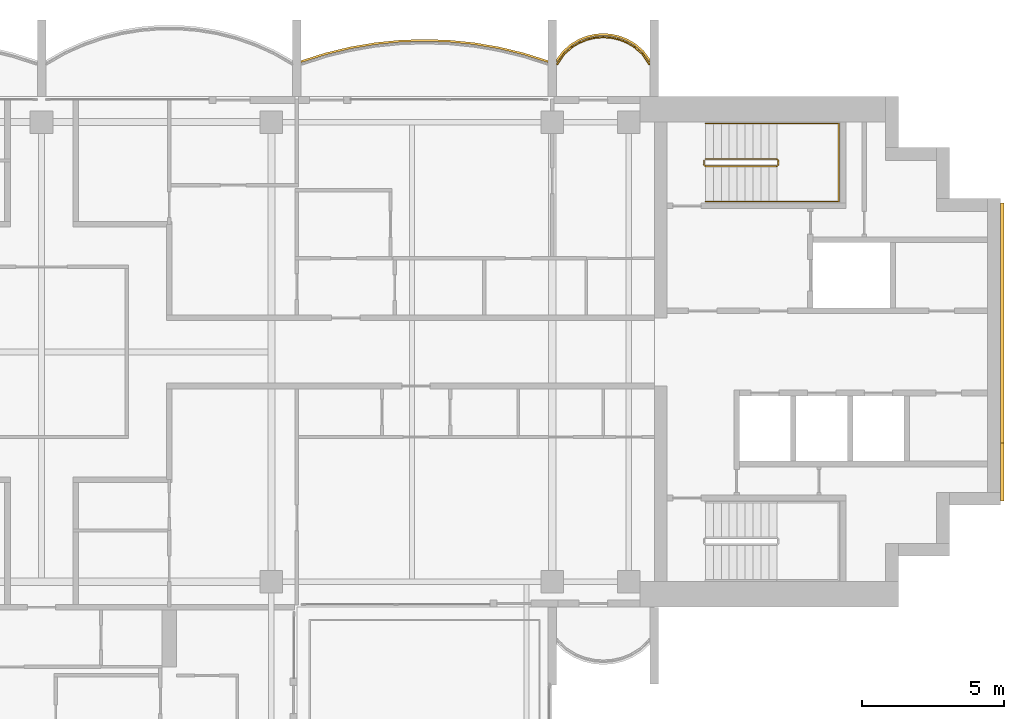
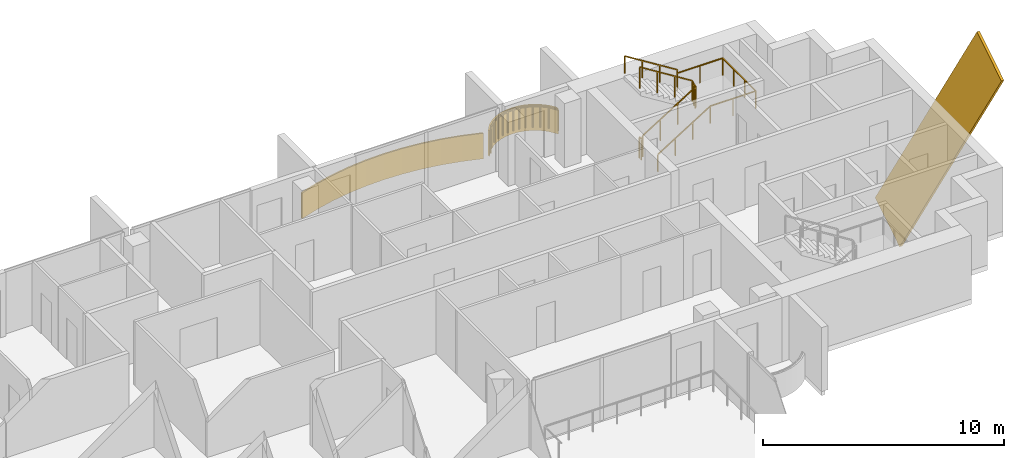
# One storey, part 17 of 17: 3 coverings, 3 railings.
"""IFC4 building model written with IfcOpenShell, lengths in metres."""

import ifcopenshell
import ifcopenshell.guid

model = None  # the IFC model being written
_history = None  # IfcOwnerHistory: only IFC2X3 demands one
_inside = {}  # id of a spatial element -> (the spatial element, [elements in it])
_under = {}  # id of a project, library or spatial element -> (it, [spatial elements below it])
_declared = {}  # id of a project -> (the project, [libraries it declares])
_typed = {}  # id of a type object -> (the type object, [elements of that type])
_made_of = {}  # id of a material, layer set ... -> (it, [elements and type objects made of it])


def new_model(schema):
    """Start an empty IFC model of exactly this schema.

    Asked for "IFC4X3", IfcOpenShell would pick the latest addendum, in which some entities
    have other attributes; the version numbers below select the first issue.
    IFC2X3 requires an IfcOwnerHistory on every rooted entity: one is made here for all.
    """
    global model, _history
    if schema == "IFC4X3":
        model = ifcopenshell.file(schema_version=(4, 3, 0, 0))
    else:
        model = ifcopenshell.file(schema=schema)
    _inside.clear()
    _under.clear()
    _declared.clear()
    _typed.clear()
    _made_of.clear()
    _history = None
    if model.schema == "IFC2X3":
        org = make("IfcOrganization", Name="unknown")
        user = make(
            "IfcPersonAndOrganization",
            ThePerson=make("IfcPerson", FamilyName="unknown"),
            TheOrganization=org,
        )
        app = make(
            "IfcApplication",
            ApplicationDeveloper=org,
            Version="unknown",
            ApplicationFullName="unknown",
            ApplicationIdentifier="unknown",
        )
        _history = make(
            "IfcOwnerHistory",
            OwningUser=user,
            OwningApplication=app,
            ChangeAction="ADDED",
            CreationDate=0,
        )
    return model


def make(cls, **values):
    """One entity of the class cls with the attributes given. An attribute that is None is left unset."""
    return model.create_entity(
        cls, **{name: value for name, value in values.items() if value is not None}
    )


def rooted(cls, **values):
    """An entity with a GlobalId (a new one), such as an element, a storey or a relation."""
    return make(cls, GlobalId=ifcopenshell.guid.new(), OwnerHistory=_history, **values)


def si_unit(unit_type, name, prefix=None):
    """IfcSIUnit, for example si_unit("LENGTHUNIT", "METRE", prefix="MILLI")."""
    return make("IfcSIUnit", UnitType=unit_type, Prefix=prefix, Name=name)


def assignment(units):
    """IfcUnitAssignment: the units of a project."""
    return None if units is None else make("IfcUnitAssignment", Units=units)


def point(xyz):
    """IfcCartesianPoint."""
    return None if xyz is None else make("IfcCartesianPoint", Coordinates=xyz)


def direction(xyz):
    """IfcDirection."""
    return None if xyz is None else make("IfcDirection", DirectionRatios=xyz)


def frame(location, z_axis=None, x_axis=None):
    """IfcAxis2Placement3D, a coordinate frame: its origin and axes. An axis left out is left unset."""
    return make(
        "IfcAxis2Placement3D",
        Location=point(location),
        Axis=direction(z_axis),
        RefDirection=direction(x_axis),
    )


def frame_2d(location, x_axis=None):
    """IfcAxis2Placement2D, a coordinate frame in the plane: its origin and x axis."""
    return make(
        "IfcAxis2Placement2D", Location=point(location), RefDirection=direction(x_axis)
    )


def origin():
    """The frame at (0, 0, 0) with its axes left unset."""
    return frame((0.0, 0.0, 0.0))


def origin_2d():
    """The frame at (0, 0) in the plane with its x axis left unset."""
    return frame_2d((0.0, 0.0))


def place(relative_to, where):
    """IfcLocalPlacement: puts the frame where relative to a parent placement (None: the world)."""
    return make(
        "IfcLocalPlacement", PlacementRelTo=relative_to, RelativePlacement=where
    )


def context(
    kind, dimensions, precision=None, world=None, true_north=None, identifier=None
):
    """IfcGeometricRepresentationContext, for example the 3D "Model" context."""
    return make(
        "IfcGeometricRepresentationContext",
        ContextIdentifier=identifier,
        ContextType=kind,
        CoordinateSpaceDimension=dimensions,
        Precision=precision,
        WorldCoordinateSystem=world,
        TrueNorth=true_north,
    )


def subcontext(parent, identifier, kind, view, scale=None):
    """IfcGeometricRepresentationSubContext, for example "Body" below "Model"."""
    return make(
        "IfcGeometricRepresentationSubContext",
        ContextIdentifier=identifier,
        ContextType=kind,
        ParentContext=parent,
        TargetScale=scale,
        TargetView=view,
    )


def project(units=None, contexts=None):
    """IfcProject with its units and contexts."""
    return rooted(
        "IfcProject",
        Name="project",
        RepresentationContexts=contexts,
        UnitsInContext=assignment(units),
    )


def spatial(cls, under=None, at=None, **own):
    """A site, building, storey or space (cls), placed at a placement, below another one or the project."""
    s = rooted(cls, ObjectPlacement=at, **own)
    if under is not None:
        _under.setdefault(under.id(), (under, []))[1].append(s)
    return s


def polyline(points):
    """IfcPolyline through the points."""
    return make("IfcPolyline", Points=[point(p) for p in points])


def profile(cls, at=None, kind="AREA", **sizes):
    """A parametric profile (cls). Its sizes go by their IFC names, for example OverallWidth=200.0."""
    return make(cls, ProfileType=kind, Position=at, **sizes)


def rectangle(**sizes):
    """IfcRectangleProfileDef."""
    return profile("IfcRectangleProfileDef", **sizes)


def outline(outer, holes=None, kind="AREA"):
    """IfcArbitraryClosedProfileDef: a profile drawn as a closed curve; with holes, ...WithVoids."""
    if holes is None:
        return make("IfcArbitraryClosedProfileDef", ProfileType=kind, OuterCurve=outer)
    return make(
        "IfcArbitraryProfileDefWithVoids",
        ProfileType=kind,
        OuterCurve=outer,
        InnerCurves=holes,
    )


def extrude(swept, where, along, depth):
    """IfcExtrudedAreaSolid: the profile swept, set in the frame where, extruded along a direction by depth."""
    return make(
        "IfcExtrudedAreaSolid",
        SweptArea=swept,
        Position=where,
        ExtrudedDirection=direction(along),
        Depth=depth,
    )


def shape(context_of_items, identifier, shape_type, items):
    """IfcShapeRepresentation: the items that make up one representation, for example the "Body"."""
    return make(
        "IfcShapeRepresentation",
        ContextOfItems=context_of_items,
        RepresentationIdentifier=identifier,
        RepresentationType=shape_type,
        Items=items,
    )


def material(Name=None, Category=None):
    """IfcMaterial."""
    return make("IfcMaterial", Name=Name, Category=Category)


def layer(
    of_material, thickness, ventilated=None, Name=None, Category=None, Priority=None
):
    """IfcMaterialLayer: one layer of a wall or slab, of a material (None: an air gap)."""
    return make(
        "IfcMaterialLayer",
        Material=of_material,
        LayerThickness=thickness,
        IsVentilated=ventilated,
        Name=Name,
        Category=Category,
        Priority=Priority,
    )


def layer_set(layers, Name=None):
    """IfcMaterialLayerSet."""
    return make("IfcMaterialLayerSet", MaterialLayers=layers, LayerSetName=Name)


def material_profile(
    of_material, cross_section, Name=None, Category=None, Priority=None
):
    """IfcMaterialProfile: a cross section and its material."""
    return make(
        "IfcMaterialProfile",
        Name=Name,
        Material=of_material,
        Profile=cross_section,
        Priority=Priority,
        Category=Category,
    )


def profile_set(profiles, Name=None, composite=None):
    """IfcMaterialProfileSet."""
    return make(
        "IfcMaterialProfileSet",
        Name=Name,
        MaterialProfiles=profiles,
        CompositeProfile=composite,
    )


def made_of(thing, what):
    """Note that an element or type object is made of a material, layer set ...; save() writes the relation."""
    if what is not None:
        _made_of.setdefault(what.id(), (what, []))[1].append(thing)
    return thing


def type_object(cls, material=None, **own):
    """A type object (cls), such as IfcWallType, which elements share."""
    return made_of(rooted(cls, **own), material)


def element(
    cls,
    number,
    at=None,
    inside=None,
    cuts=None,
    type_object=None,
    material=None,
    context=None,
    identifier="Body",
    shape_type=None,
    held_by="IfcProductDefinitionShape",
    body=None,
    shapes=None,
    **own,
):
    """One element of the class cls, such as IfcWall. Its Tag is "e" and its number.

    at: its placement. inside: the storey or other place that contains it. cuts: it is an
    opening in that element (IfcRelVoidsElement). A single representation is given by context,
    identifier, shape_type and body (its items); several are given by shapes. held_by: the class
    of the entity that holds the representations. save() writes the other relations.
    """
    e = rooted(cls, Tag="e%d" % number, ObjectPlacement=at, **own)
    if body is not None:
        shapes = [shape(context, identifier, shape_type, body)]
    if shapes is not None:
        e.Representation = make(held_by, Representations=shapes)
    if inside is not None:
        _inside.setdefault(inside.id(), (inside, []))[1].append(e)
    if cuts is not None:
        rooted(
            "IfcRelVoidsElement", RelatingBuildingElement=cuts, RelatedOpeningElement=e
        )
    if type_object is not None:
        _typed.setdefault(type_object.id(), (type_object, []))[1].append(e)
    return made_of(e, material)


def aggregate(whole, parts):
    """IfcRelAggregates: a whole, such as a stair, and the parts it consists of."""
    return rooted("IfcRelAggregates", RelatingObject=whole, RelatedObjects=parts)


def save(model, path):
    """Write the relations noted so far, then the file.

    IfcRelAggregates (storeys below a building ...), IfcRelContainedInSpatialStructure (elements
    in a storey), IfcRelDefinesByType, IfcRelAssociatesMaterial and IfcRelDeclares: one each for
    every whole, place, type object, material and project.
    """
    for whole, parts in _under.values():
        aggregate(whole, parts)
    for where, things in _inside.values():
        rooted(
            "IfcRelContainedInSpatialStructure",
            RelatedElements=things,
            RelatingStructure=where,
        )
    for kind, things in _typed.values():
        rooted("IfcRelDefinesByType", RelatedObjects=things, RelatingType=kind)
    for what, things in _made_of.values():
        rooted("IfcRelAssociatesMaterial", RelatedObjects=things, RelatingMaterial=what)
    for by, libraries in _declared.values():
        rooted("IfcRelDeclares", RelatingContext=by, RelatedDefinitions=libraries)
    model.write(path)


model = new_model("IFC4")

# Units and contexts
model_context = context("Model", 3, precision=1e-05, world=origin(), true_north=direction((0.0, 1.0)))
body_context = subcontext(model_context, "Body", "Model", "MODEL_VIEW")
ifc_project = project(units=[si_unit("LENGTHUNIT", "METRE"), si_unit("AREAUNIT", "SQUARE_METRE"), si_unit("VOLUMEUNIT", "CUBIC_METRE"), si_unit("PLANEANGLEUNIT", "RADIAN"), si_unit("MASSUNIT", "GRAM", prefix="KILO")], contexts=[model_context])

# Site, building, storey
site_placement = place(None, origin())
site = spatial("IfcSite", under=ifc_project, at=site_placement, CompositionType="ELEMENT")
building_placement = place(site_placement, origin())
building = spatial("IfcBuilding", under=site, at=building_placement, Name="Perihelion Cross Residences", CompositionType="ELEMENT")
storey_placement = place(building_placement, frame((0.0, 0.0, 278.0)))
storey = spatial("IfcBuildingStorey", under=building, at=storey_placement, Name="L71", CompositionType="ELEMENT", Elevation=278.0)

# Coverings
ifc_material_1 = material(Name="Bronze anodised aluminium", Category="aluminium")
ifc_layer = layer(ifc_material_1, 0.070068359375)
ifc_layer_set = layer_set([ifc_layer], Name="Balcony fascia 1300")
covering_type_1 = type_object("IfcCoveringType", Name="Balcony fascia 1300", PredefinedType="CLADDING", material=ifc_layer_set)
covering_1_placement = place(storey_placement, frame((0.0, 0.0, -0.199951171875)))
element("IfcCovering", 1, at=covering_1_placement, inside=storey, type_object=covering_type_1, Name="Fascia BF1 L71 east side north bay 1", PredefinedType="CLADDING", context=body_context, shape_type="SweptSolid", body=[
    extrude(outline(polyline([(21.226318359375, 10.616455078125), (20.94091796875, 10.86328125), (20.655517578125, 11.031494140625), (20.370361328125, 11.142578125), (20.085205078125, 11.206298828125), (19.800048828125, 11.22705078125), (19.514892578125, 11.206298828125), (19.229736328125, 11.142578125), (18.9443359375, 11.031494140625), (18.6591796875, 10.86328125), (18.373779296875, 10.616455078125), (18.14990234375, 10.31689453125), (18.14990234375, 10.199951171875), (18.425048828125, 10.568603515625), (18.699951171875, 10.806396484375), (18.97509765625, 10.96875), (19.25, 11.07568359375), (19.52490234375, 11.136962890625), (19.800048828125, 11.156982421875), (20.074951171875, 11.136962890625), (20.35009765625, 11.07568359375), (20.625, 10.96875), (20.89990234375, 10.806396484375), (21.175048828125, 10.568603515625), (21.449951171875, 10.199951171875), (21.449951171875, 10.31689453125), (21.226318359375, 10.616455078125)])), origin(), (0.0, 0.0, 1.0), 1.300048828125),
])
covering_2_placement = place(storey_placement, frame((0.0, 0.0, -0.199951171875)))
element("IfcCovering", 2, at=covering_2_placement, inside=storey, type_object=covering_type_1, Name="Fascia BF1 L71 east side north bay 2", PredefinedType="CLADDING", context=body_context, shape_type="SweptSolid", body=[
    extrude(outline(polyline([(16.998779296875, 10.542724609375), (16.1240234375, 10.753662109375), (15.249267578125, 10.90234375), (14.374755859375, 10.99072265625), (13.5, 11.02001953125), (12.625244140625, 10.99072265625), (11.750732421875, 10.90234375), (10.8759765625, 10.753662109375), (10.001220703125, 10.542724609375), (9.14990234375, 10.2734375), (9.14990234375, 10.199951171875), (10.02001953125, 10.47509765625), (10.889892578125, 10.68505859375), (11.760009765625, 10.8330078125), (12.6298828125, 10.9208984375), (13.5, 10.949951171875), (14.3701171875, 10.9208984375), (15.239990234375, 10.8330078125), (16.110107421875, 10.68505859375), (16.97998046875, 10.47509765625), (17.85009765625, 10.199951171875), (17.85009765625, 10.2734375), (16.998779296875, 10.542724609375)])), origin(), (0.0, 0.0, 1.0), 1.300048828125),
])

# Railing
ifc_material_2 = material(Name="Bronze anodised aluminium", Category="aluminium")
railing_type_1 = type_object("IfcRailingType", Name="Balcony guard 1100", PredefinedType="GUARDRAIL", material=ifc_material_2)
railing_1_placement = place(storey_placement, frame((21.425048828125, 10.139892578125, 0.0)))
element("IfcRailing", 3, at=railing_1_placement, inside=storey, type_object=railing_type_1, Name="Guard GU1 L71 east side north bay 1 balcony", PredefinedType="GUARDRAIL", context=body_context, shape_type="SweptSolid", body=[
    extrude(rectangle(XDim=0.048095703125, YDim=0.048095703125, at=origin_2d()), frame((0.0, 0.0, 1.076171875), z_axis=(-0.561260132269, 0.827639452857, 0.0), x_axis=(-0.827639452857, -0.561260132269, 0.0)), (0.0, 0.0, 1.0), 0.4453125),
    extrude(rectangle(XDim=0.048095703125, YDim=0.048095703125, at=origin_2d()), frame((-0.25, 0.36865234375, 1.076171875), z_axis=(-0.756596535164, 0.653882009982, 0.0), x_axis=(-0.653882009982, -0.756596535164, 0.0)), (0.0, 0.0, 1.0), 0.36376953125),
    extrude(rectangle(XDim=0.048095703125, YDim=0.048095703125, at=origin_2d()), frame((-0.525146484375, 0.6064453125, 1.076171875), z_axis=(-0.861048292884, 0.508523192511, 0.0), x_axis=(-0.508523192511, -0.861048292884, 0.0)), (0.0, 0.0, 1.0), 0.3193359375),
    extrude(rectangle(XDim=0.048095703125, YDim=0.048095703125, at=origin_2d()), frame((-0.800048828125, 0.768798828125, 1.076171875), z_axis=(-0.931973602183, 0.362526143656, 0.0), x_axis=(-0.362526143656, -0.931973602183, 0.0)), (0.0, 0.0, 1.0), 0.294921875),
    extrude(rectangle(XDim=0.048095703125, YDim=0.048095703125, at=origin_2d()), frame((-1.074951171875, 0.875732421875, 1.076171875), z_axis=(-0.976085059389, 0.21738895289, 0.0), x_axis=(-0.21738895289, -0.976085059389, 0.0)), (0.0, 0.0, 1.0), 0.281982421875),
    extrude(rectangle(XDim=0.048095703125, YDim=0.048095703125, at=origin_2d()), frame((-1.35009765625, 0.93701171875, 1.076171875), z_axis=(-0.997358821833, 0.072631814734, 0.0), x_axis=(-0.072631814734, -0.997358821833, 0.0)), (0.0, 0.0, 1.0), 0.275634765625),
    extrude(rectangle(XDim=0.048095703125, YDim=0.048095703125, at=origin_2d()), frame((-1.625, 0.95703125, 1.076171875), z_axis=(-0.997363488337, -0.072567707226, 0.0), x_axis=(0.072567707226, -0.997363488337, 0.0)), (0.0, 0.0, 1.0), 0.27587890625),
    extrude(rectangle(XDim=0.048095703125, YDim=0.048095703125, at=origin_2d()), frame((-1.900146484375, 0.93701171875, 1.076171875), z_axis=(-0.976044077717, -0.217572880557, 0.0), x_axis=(0.217572880557, -0.976044077717, 0.0)), (0.0, 0.0, 1.0), 0.28173828125),
    extrude(rectangle(XDim=0.048095703125, YDim=0.048095703125, at=origin_2d()), frame((-2.175048828125, 0.875732421875, 1.076171875), z_axis=(-0.931973602183, -0.362526143656, 0.0), x_axis=(0.362526143656, -0.931973602183, 0.0)), (0.0, 0.0, 1.0), 0.294921875),
    extrude(rectangle(XDim=0.048095703125, YDim=0.048095703125, at=origin_2d()), frame((-2.449951171875, 0.768798828125, 1.076171875), z_axis=(-0.861245845072, -0.508188542123, 0.0), x_axis=(0.508188542123, -0.861245845072, 0.0)), (0.0, 0.0, 1.0), 0.319580078125),
    extrude(rectangle(XDim=0.048095703125, YDim=0.048095703125, at=origin_2d()), frame((-2.72509765625, 0.6064453125, 1.076171875), z_axis=(-0.756309278473, -0.654214242658, 0.0), x_axis=(0.654214242658, -0.756309278473, 0.0)), (0.0, 0.0, 1.0), 0.363525390625),
    extrude(rectangle(XDim=0.048095703125, YDim=0.048095703125, at=origin_2d()), frame((-3.0, 0.36865234375, 1.076171875), z_axis=(-0.561260132269, -0.827639452857, 0.0), x_axis=(0.827639452857, -0.561260132269, 0.0)), (0.0, 0.0, 1.0), 0.4453125),
    extrude(rectangle(XDim=0.0419921875, YDim=0.0419921875, at=origin_2d()), origin(), (0.0, 0.0, 1.0), 1.052001953125),
    extrude(rectangle(XDim=0.0419921875, YDim=0.0419921875, at=origin_2d()), frame((-0.25, 0.36865234375, 0.0)), (0.0, 0.0, 1.0), 1.052001953125),
    extrude(rectangle(XDim=0.0419921875, YDim=0.0419921875, at=origin_2d()), frame((-0.525146484375, 0.6064453125, 0.0)), (0.0, 0.0, 1.0), 1.052001953125),
    extrude(rectangle(XDim=0.0419921875, YDim=0.0419921875, at=origin_2d()), frame((-0.800048828125, 0.768798828125, 0.0)), (0.0, 0.0, 1.0), 1.052001953125),
    extrude(rectangle(XDim=0.0419921875, YDim=0.0419921875, at=origin_2d()), frame((-1.074951171875, 0.875732421875, 0.0)), (0.0, 0.0, 1.0), 1.052001953125),
    extrude(rectangle(XDim=0.0419921875, YDim=0.0419921875, at=origin_2d()), frame((-1.35009765625, 0.93701171875, 0.0)), (0.0, 0.0, 1.0), 1.052001953125),
    extrude(rectangle(XDim=0.0419921875, YDim=0.0419921875, at=origin_2d()), frame((-1.625, 0.95703125, 0.0)), (0.0, 0.0, 1.0), 1.052001953125),
    extrude(rectangle(XDim=0.0419921875, YDim=0.0419921875, at=origin_2d()), frame((-1.900146484375, 0.93701171875, 0.0)), (0.0, 0.0, 1.0), 1.052001953125),
    extrude(rectangle(XDim=0.0419921875, YDim=0.0419921875, at=origin_2d()), frame((-2.175048828125, 0.875732421875, 0.0)), (0.0, 0.0, 1.0), 1.052001953125),
    extrude(rectangle(XDim=0.0419921875, YDim=0.0419921875, at=origin_2d()), frame((-2.449951171875, 0.768798828125, 0.0)), (0.0, 0.0, 1.0), 1.052001953125),
    extrude(rectangle(XDim=0.0419921875, YDim=0.0419921875, at=origin_2d()), frame((-2.72509765625, 0.6064453125, 0.0)), (0.0, 0.0, 1.0), 1.052001953125),
    extrude(rectangle(XDim=0.0419921875, YDim=0.0419921875, at=origin_2d()), frame((-3.0, 0.36865234375, 0.0)), (0.0, 0.0, 1.0), 1.052001953125),
    extrude(rectangle(XDim=0.0419921875, YDim=0.0419921875, at=origin_2d()), frame((-3.25, 0.0, 0.0)), (0.0, 0.0, 1.0), 1.052001953125),
])

# Covering
ifc_material_3 = material(Name="Bronze anodised aluminium", Category="aluminium")
ifc_material_profile = material_profile(ifc_material_3, rectangle(XDim=0.125, YDim=2.39990234375, at=origin_2d()), Name="Bronze cladding band 2400")
ifc_profile_set = profile_set([ifc_material_profile], Name="Bronze anodised aluminium")
covering_type_2 = type_object("IfcCoveringType", Name="Bronze cladding band 2400", PredefinedType="CLADDING", material=ifc_profile_set)
covering_3_placement = place(storey_placement, frame((33.862548828125, 4.232421875, -5.384033203125), z_axis=(0.0, -0.529924750763, 0.848044667767), x_axis=(1.0, 0.0, 0.0)))
element("IfcCovering", 4, at=covering_3_placement, inside=storey, type_object=covering_type_2, Name="Core cladding band, east core", PredefinedType="CLADDING", context=body_context, shape_type="SweptSolid", body=[
    extrude(rectangle(XDim=0.125, YDim=2.39990234375, at=origin_2d()), origin(), (0.0, 0.0, 1.0), 15.9736328125),
])

# Railings
ifc_material_4 = material(Name="Stainless steel", Category="steel")
railing_type_2 = type_object("IfcRailingType", Name="Stair guard 1100", PredefinedType="GUARDRAIL", material=ifc_material_4)
railing_2_placement = place(storey_placement, frame((23.35009765625, 6.75, 0.0)))
element("IfcRailing", 5, at=railing_2_placement, inside=storey, type_object=railing_type_2, Name="L71 ST-E1 stair guard 1", PredefinedType="GUARDRAIL", context=body_context, shape_type="SweptSolid", body=[
    extrude(rectangle(XDim=0.048095703125, YDim=0.048095703125, at=origin_2d()), frame((0.0, 0.0, 1.076171875), z_axis=(0.0, -1.0, 0.0), x_axis=(1.0, 0.0, 0.0)), (0.0, 0.0, 1.0), 0.14990234375),
    extrude(rectangle(XDim=0.048095703125, YDim=0.048095703125, at=origin_2d()), frame((0.0, -0.14990234375, 1.076171875), z_axis=(0.263862480399, -0.265155923931, 0.927399011991), x_axis=(0.708833529934, 0.705375805398, 0.0)), (0.0, 0.0, 1.0), 0.188720703125),
    extrude(rectangle(XDim=0.048095703125, YDim=0.048095703125, at=origin_2d()), frame((0.0498046875, -0.199951171875, 1.2509765625), z_axis=(0.848007534815, 0.0, 0.529984170421), x_axis=(0.0, 1.0, 0.0)), (0.0, 0.0, 1.0), 2.9716796875),
    extrude(rectangle(XDim=0.048095703125, YDim=0.048095703125, at=origin_2d()), frame((2.56982421875, -0.199951171875, 2.826171875), z_axis=(0.707106781187, 0.707106781187, 0.0), x_axis=(-0.707106781187, 0.707106781187, 0.0)), (0.0, 0.0, 1.0), 0.07080078125),
    extrude(rectangle(XDim=0.048095703125, YDim=0.048095703125, at=origin_2d()), frame((2.619873046875, -0.14990234375, 2.826171875), z_axis=(0.0, 1.0, 0.0), x_axis=(-1.0, 0.0, 0.0)), (0.0, 0.0, 1.0), 0.14990234375),
    extrude(rectangle(XDim=0.048095703125, YDim=0.048095703125, at=origin_2d()), frame((2.619873046875, 0.0, 2.826171875), z_axis=(-0.265065253269, 0.265065253269, 0.927081885822), x_axis=(-0.707106781187, -0.707106781187, 0.0)), (0.0, 0.0, 1.0), 0.188720703125),
    extrude(rectangle(XDim=0.048095703125, YDim=0.048095703125, at=origin_2d()), frame((2.56982421875, 0.050048828125, 3.0009765625), z_axis=(-0.848007534815, 0.0, 0.529984170421), x_axis=(0.0, -1.0, 0.0)), (0.0, 0.0, 1.0), 2.9716796875),
    extrude(rectangle(XDim=0.0419921875, YDim=0.0419921875, at=origin_2d()), origin(), (0.0, 0.0, 1.0), 1.052001953125),
    extrude(rectangle(XDim=0.0419921875, YDim=0.0419921875, at=origin_2d()), frame((0.0, -0.14990234375, 0.0)), (0.0, 0.0, 1.0), 1.052001953125),
    extrude(rectangle(XDim=0.0419921875, YDim=0.0419921875, at=origin_2d()), frame((0.0498046875, -0.199951171875, 0.175048828125)), (0.0, 0.0, 1.0), 1.052001953125),
    extrude(rectangle(XDim=0.0419921875, YDim=0.0419921875, at=origin_2d()), frame((0.889892578125, -0.199951171875, 0.699951171875)), (0.0, 0.0, 1.0), 1.052001953125),
    extrude(rectangle(XDim=0.0419921875, YDim=0.0419921875, at=origin_2d()), frame((1.729736328125, -0.199951171875, 1.22509765625)), (0.0, 0.0, 1.0), 1.052001953125),
    extrude(rectangle(XDim=0.0419921875, YDim=0.0419921875, at=origin_2d()), frame((2.56982421875, -0.199951171875, 1.75)), (0.0, 0.0, 1.0), 1.052001953125),
    extrude(rectangle(XDim=0.0419921875, YDim=0.0419921875, at=origin_2d()), frame((2.619873046875, -0.14990234375, 1.75)), (0.0, 0.0, 1.0), 1.052001953125),
    extrude(rectangle(XDim=0.0419921875, YDim=0.0419921875, at=origin_2d()), frame((2.619873046875, 0.0, 1.75)), (0.0, 0.0, 1.0), 1.052001953125),
    extrude(rectangle(XDim=0.0419921875, YDim=0.0419921875, at=origin_2d()), frame((2.56982421875, 0.050048828125, 1.925048828125)), (0.0, 0.0, 1.0), 1.052001953125),
    extrude(rectangle(XDim=0.0419921875, YDim=0.0419921875, at=origin_2d()), frame((1.729736328125, 0.050048828125, 2.449951171875)), (0.0, 0.0, 1.0), 1.052001953125),
    extrude(rectangle(XDim=0.0419921875, YDim=0.0419921875, at=origin_2d()), frame((0.889892578125, 0.050048828125, 2.97509765625)), (0.0, 0.0, 1.0), 1.052001953125),
    extrude(rectangle(XDim=0.0419921875, YDim=0.0419921875, at=origin_2d()), frame((0.0498046875, 0.050048828125, 3.5)), (0.0, 0.0, 1.0), 1.052001953125),
])
ifc_material_5 = material(Name="Stainless steel", Category="steel")
railing_type_3 = type_object("IfcRailingType", Name="Stair handrail 900", PredefinedType="HANDRAIL", material=ifc_material_5)
railing_3_placement = place(storey_placement, frame((23.39990234375, 5.300048828125, 0.175048828125)))
element("IfcRailing", 6, at=railing_3_placement, inside=storey, type_object=railing_type_3, Name="L71 ST-E1 stair handrail 1", PredefinedType="HANDRAIL", context=body_context, shape_type="SweptSolid", body=[
    extrude(rectangle(XDim=0.048095703125, YDim=0.048095703125, at=origin_2d()), frame((0.0, 0.0, 0.8759765625), z_axis=(0.848007534815, 0.0, 0.529984170421), x_axis=(0.0, 1.0, 0.0)), (0.0, 0.0, 1.0), 2.9716796875),
    extrude(rectangle(XDim=0.048095703125, YDim=0.048095703125, at=origin_2d()), frame((2.52001953125, 0.0, 2.45068359375), z_axis=(1.0, 0.0, 0.0), x_axis=(0.0, 1.0, 0.0)), (0.0, 0.0, 1.0), 2.18017578125),
    extrude(rectangle(XDim=0.048095703125, YDim=0.048095703125, at=origin_2d()), frame((4.7001953125, 0.0, 2.45068359375), z_axis=(0.0, 1.0, 0.0), x_axis=(-1.0, 0.0, 0.0)), (0.0, 0.0, 1.0), 2.75),
    extrude(rectangle(XDim=0.048095703125, YDim=0.048095703125, at=origin_2d()), frame((4.7001953125, 2.75, 2.45068359375), z_axis=(-1.0, 0.0, 0.0), x_axis=(0.0, -1.0, 0.0)), (0.0, 0.0, 1.0), 2.18017578125),
    extrude(rectangle(XDim=0.048095703125, YDim=0.048095703125, at=origin_2d()), frame((2.52001953125, 2.75, 2.45068359375), z_axis=(0.0, 0.0, 1.0), x_axis=(1.0, 0.0, 0.0)), (0.0, 0.0, 1.0), 0.175048828125),
    extrude(rectangle(XDim=0.048095703125, YDim=0.048095703125, at=origin_2d()), frame((2.52001953125, 2.75, 2.6259765625), z_axis=(-0.848007534815, 0.0, 0.529984170421), x_axis=(0.0, -1.0, 0.0)), (0.0, 0.0, 1.0), 2.9716796875),
    extrude(rectangle(XDim=0.0419921875, YDim=0.0419921875, at=origin_2d()), origin(), (0.0, 0.0, 1.0), 0.851806640625),
    extrude(rectangle(XDim=0.0419921875, YDim=0.0419921875, at=origin_2d()), frame((0.840087890625, 0.0, 0.52490234375)), (0.0, 0.0, 1.0), 0.851806640625),
    extrude(rectangle(XDim=0.0419921875, YDim=0.0419921875, at=origin_2d()), frame((1.679931640625, 0.0, 1.050048828125)), (0.0, 0.0, 1.0), 0.851806640625),
    extrude(rectangle(XDim=0.0419921875, YDim=0.0419921875, at=origin_2d()), frame((2.52001953125, 0.0, 1.574951171875)), (0.0, 0.0, 1.0), 0.851806640625),
    extrude(rectangle(XDim=0.0419921875, YDim=0.0419921875, at=origin_2d()), frame((3.610107421875, 0.0, 1.574951171875)), (0.0, 0.0, 1.0), 0.851806640625),
    extrude(rectangle(XDim=0.0419921875, YDim=0.0419921875, at=origin_2d()), frame((4.7001953125, 0.0, 1.574951171875)), (0.0, 0.0, 1.0), 0.851806640625),
    extrude(rectangle(XDim=0.0419921875, YDim=0.0419921875, at=origin_2d()), frame((4.7001953125, 0.916748046875, 1.574951171875)), (0.0, 0.0, 1.0), 0.851806640625),
    extrude(rectangle(XDim=0.0419921875, YDim=0.0419921875, at=origin_2d()), frame((4.7001953125, 1.833251953125, 1.574951171875)), (0.0, 0.0, 1.0), 0.851806640625),
    extrude(rectangle(XDim=0.0419921875, YDim=0.0419921875, at=origin_2d()), frame((4.7001953125, 2.75, 1.574951171875)), (0.0, 0.0, 1.0), 0.851806640625),
    extrude(rectangle(XDim=0.0419921875, YDim=0.0419921875, at=origin_2d()), frame((3.610107421875, 2.75, 1.574951171875)), (0.0, 0.0, 1.0), 0.851806640625),
    extrude(rectangle(XDim=0.0419921875, YDim=0.0419921875, at=origin_2d()), frame((2.52001953125, 2.75, 1.574951171875)), (0.0, 0.0, 1.0), 0.851806640625),
    extrude(rectangle(XDim=0.0419921875, YDim=0.0419921875, at=origin_2d()), frame((2.52001953125, 2.75, 1.75)), (0.0, 0.0, 1.0), 0.851806640625),
    extrude(rectangle(XDim=0.0419921875, YDim=0.0419921875, at=origin_2d()), frame((1.679931640625, 2.75, 2.27490234375)), (0.0, 0.0, 1.0), 0.851806640625),
    extrude(rectangle(XDim=0.0419921875, YDim=0.0419921875, at=origin_2d()), frame((0.840087890625, 2.75, 2.800048828125)), (0.0, 0.0, 1.0), 0.851806640625),
    extrude(rectangle(XDim=0.0419921875, YDim=0.0419921875, at=origin_2d()), frame((0.0, 2.75, 3.324951171875)), (0.0, 0.0, 1.0), 0.851806640625),
])

save(model, "model.ifc")
